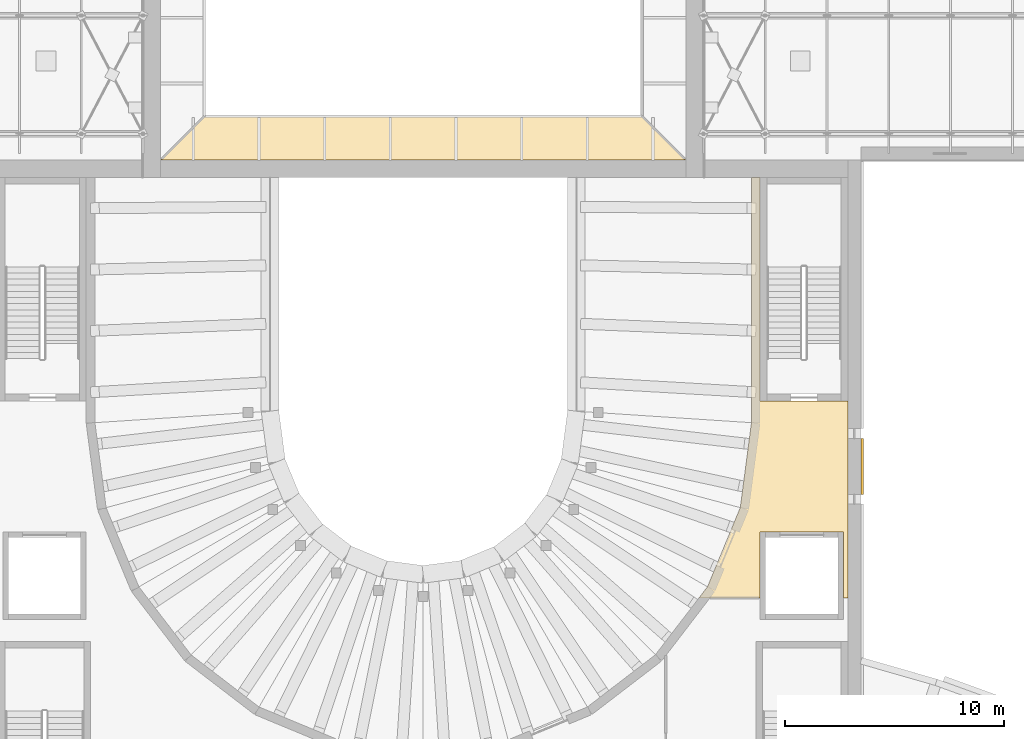
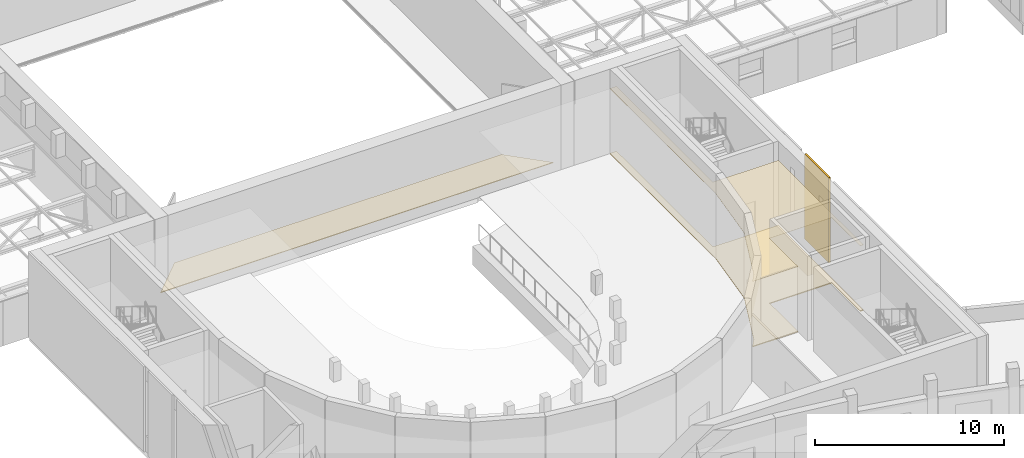
# One storey, part 119 of 132: 4 coverings.
"""IFC4 building model written with IfcOpenShell, lengths in metres."""

from ifc_helpers import new_model, si_unit, direction, frame, origin, origin_2d, place, context, subcontext, project, spatial, polyline, rectangle, outline, extrude, material, layer, layer_set, type_object, element, save


model = new_model("IFC4")

# Units and contexts
model_context = context("Model", 3, precision=1e-05, world=origin(), true_north=direction((0.0, 1.0)))
body_context = subcontext(model_context, "Body", "Model", "MODEL_VIEW")
ifc_project = project(units=[si_unit("LENGTHUNIT", "METRE"), si_unit("AREAUNIT", "SQUARE_METRE"), si_unit("VOLUMEUNIT", "CUBIC_METRE"), si_unit("PLANEANGLEUNIT", "RADIAN"), si_unit("MASSUNIT", "GRAM", prefix="KILO")], contexts=[model_context])

# Site, building, storey
site_placement = place(None, origin())
site = spatial("IfcSite", under=ifc_project, at=site_placement, CompositionType="ELEMENT")
building_placement = place(site_placement, origin())
building = spatial("IfcBuilding", under=site, at=building_placement, Name="Lunette Opera House", CompositionType="ELEMENT")
storey_placement = place(building_placement, frame((0.0, 0.0, 17.0)))
storey = spatial("IfcBuildingStorey", under=building, at=storey_placement, Name="L03", CompositionType="ELEMENT", Elevation=17.0)

# Coverings
ifc_material_1 = material(Name="Clinker brick", Category="masonry")
ifc_layer_1 = layer(ifc_material_1, 0.114990234375)
ifc_layer_set_1 = layer_set([ifc_layer_1], Name="Clinker brick")
covering_type_1 = type_object("IfcCoveringType", Name="CLINKER CLADDING 115", PredefinedType="CLADDING", material=ifc_layer_set_1)
covering_1_placement = place(storey_placement, frame((116.05810546875, 82.0, 0.0), z_axis=(0.0, 0.0, 1.0), x_axis=(1.0, 0.0, 0.0)))
element("IfcCovering", 1, at=covering_1_placement, inside=storey, type_object=covering_type_1, Name="Clinker cladding WE L03 2", PredefinedType="CLADDING", context=body_context, shape_type="SweptSolid", body=[
    extrude(rectangle(XDim=0.114990234375, YDim=2.550048828125, at=origin_2d()), origin(), (0.0, 0.0, 1.0), 5.5),
])
ifc_material_2 = material(Name="Mineral fibre board")
ifc_layer_2 = layer(ifc_material_2, 0.014892578125)
ifc_layer_set_2 = layer_set([ifc_layer_2], Name="Mineral fibre board")
covering_type_2 = type_object("IfcCoveringType", Name="SUSPENDED ACOUSTIC CEILING 15", PredefinedType="CEILING", material=ifc_layer_set_2)
covering_2_placement = place(storey_placement, frame((0.0, 0.0, 4.235107421875)))
element("IfcCovering", 2, at=covering_2_placement, inside=storey, type_object=covering_type_2, Name="Ceiling Second Tier Promenade East", PredefinedType="CEILING", context=body_context, shape_type="SweptSolid", body=[
    extrude(outline(polyline([(110.489013671875, 80.117919921875), (111.0, 84.0), (111.0, 95.199951171875), (111.39990234375, 95.199951171875), (111.39990234375, 85.0), (115.39990234375, 85.0), (115.39990234375, 76.0), (115.199951171875, 76.0), (115.199951171875, 79.0), (111.39990234375, 79.0), (111.39990234375, 76.0), (108.60693359375, 76.0), (108.989990234375, 76.5), (110.489013671875, 80.117919921875)])), origin(), (0.0, 0.0, 1.0), 0.014892578125),
])
ifc_material_3 = material(Name="Terrazzo")
ifc_layer_3 = layer(ifc_material_3, 0.06005859375)
ifc_layer_set_3 = layer_set([ifc_layer_3], Name="Terrazzo")
covering_type_3 = type_object("IfcCoveringType", Name="TERRAZZO FLOOR FINISH 60", PredefinedType="FLOORING", material=ifc_layer_set_3)
covering_3_placement = place(storey_placement, origin())
element("IfcCovering", 3, at=covering_3_placement, inside=storey, type_object=covering_type_3, Name="Floor finish Second Tier Promenade East", PredefinedType="FLOORING", context=body_context, shape_type="SweptSolid", body=[
    extrude(outline(polyline([(110.489013671875, 80.117919921875), (111.0, 84.0), (111.0, 95.199951171875), (111.39990234375, 95.199951171875), (111.39990234375, 85.0), (115.39990234375, 85.0), (115.39990234375, 76.0), (115.199951171875, 76.0), (115.199951171875, 79.0), (111.39990234375, 79.0), (111.39990234375, 76.0), (108.60693359375, 76.0), (108.989990234375, 76.5), (110.489013671875, 80.117919921875)])), origin(), (0.0, 0.0, 1.0), 0.06005859375),
])
ifc_material_4 = material(Name="Timber", Category="wood")
ifc_layer_4 = layer(ifc_material_4, 0.0400390625)
ifc_layer_set_4 = layer_set([ifc_layer_4], Name="Timber")
covering_type_4 = type_object("IfcCoveringType", Name="TIMBER FLOOR FINISH 40", PredefinedType="FLOORING", material=ifc_layer_set_4)
covering_4_placement = place(storey_placement, origin())
element("IfcCovering", 4, at=covering_4_placement, inside=storey, type_object=covering_type_4, Name="Floor finish Fly Gallery 17 South", PredefinedType="FLOORING", context=body_context, shape_type="SweptSolid", body=[
    extrude(outline(polyline([(86.0, 98.0), (106.0, 98.0), (108.0, 96.0), (84.0, 96.0), (86.0, 98.0)])), origin(), (0.0, 0.0, 1.0), 0.0400390625),
])

save(model, "model.ifc")
